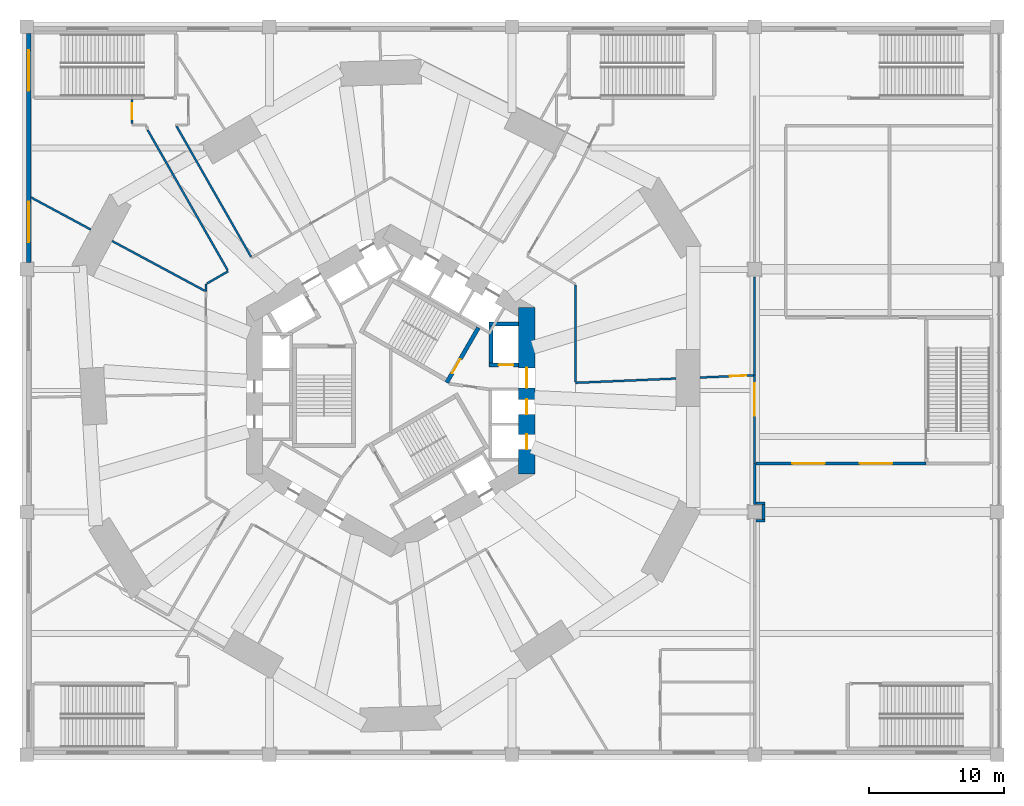
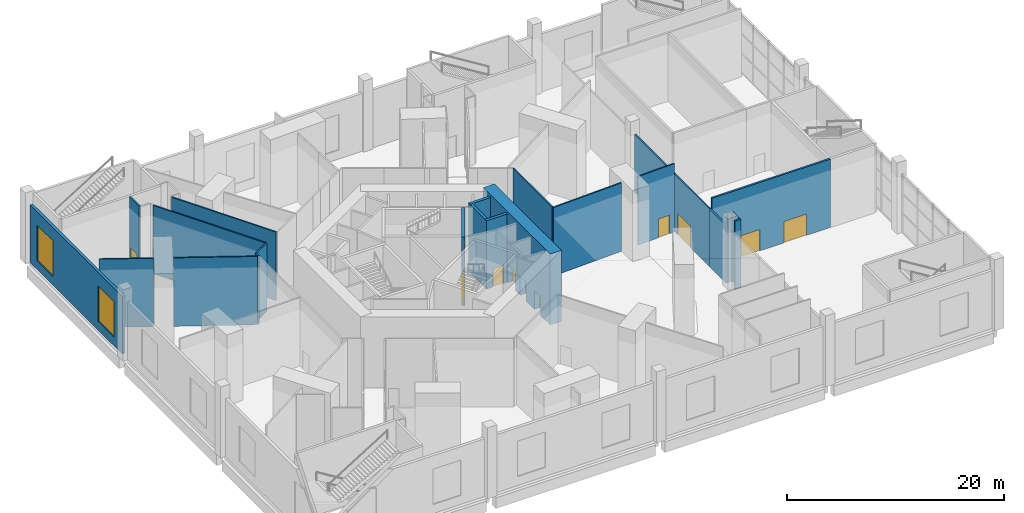
# One storey, part 8 of 15: 23 walls, 10 doors, 2 windows, 12 openings.
"""IFC4 building model written with IfcOpenShell, lengths in metres."""

from ifc_helpers import new_model, si_unit, direction, frame, frame_2d, origin, place, context, subcontext, project, spatial, rectangle, extrude, material, layer, layer_set, type_object, element, fill, save


model = new_model("IFC4")

# Units and contexts
model_context = context("Model", 3, precision=1e-05, world=origin(), true_north=direction((0.0, 1.0)))
body_context = subcontext(model_context, "Body", "Model", "MODEL_VIEW")
ifc_project = project(units=[si_unit("LENGTHUNIT", "METRE"), si_unit("AREAUNIT", "SQUARE_METRE"), si_unit("VOLUMEUNIT", "CUBIC_METRE"), si_unit("PLANEANGLEUNIT", "RADIAN"), si_unit("MASSUNIT", "GRAM", prefix="KILO")], contexts=[model_context])

# Site, building, storey
site_placement = place(None, origin())
site = spatial("IfcSite", under=ifc_project, at=site_placement, CompositionType="ELEMENT")
building_placement = place(site_placement, origin())
building = spatial("IfcBuilding", under=site, at=building_placement, Name="Vanh Sen Convention Tower", CompositionType="ELEMENT")
storey_placement = place(building_placement, frame((0.0, 0.0, 21.0)))
storey = spatial("IfcBuildingStorey", under=building, at=storey_placement, Name="L03", CompositionType="ELEMENT", Elevation=21.0)

# Wall, openings, doors
ifc_material_1 = material(Name="Concrete C80/95", Category="concrete")
ifc_layer_1 = layer(ifc_material_1, 1.199951171875)
ifc_layer_set_1 = layer_set([ifc_layer_1], Name="Concrete C80/95")
wall_type_1 = type_object("IfcWallType", Name="Core outer wall 1200 C80/95", PredefinedType="SHEAR", material=ifc_layer_set_1)
wall_1_placement = place(storey_placement, frame((10.10009765625, -6.177490234375, 0.0), z_axis=(0.0, 0.0, 1.0), x_axis=(0.0, 1.0, 0.0)))
wall_1 = element("IfcWall", 1, at=wall_1_placement, inside=storey, type_object=wall_type_1, Name="Core wall face E L03", PredefinedType="SHEAR", context=body_context, shape_type="SweptSolid", body=[
    extrude(rectangle(XDim=12.35498046875, YDim=1.199951171875, at=frame_2d((6.177490234375, 0.0))), origin(), (0.0, 0.0, 1.0), 8.0),
])
opening_1_placement = place(wall_1_placement, frame((6.377685546875, 0.0, 0.0)))
opening_1 = element("IfcOpeningElement", 2, at=opening_1_placement, cuts=wall_1, Name="Opening D03001", PredefinedType="OPENING", context=body_context, shape_type="SweptSolid", body=[
    extrude(rectangle(XDim=1.5, YDim=2.10009765625, at=frame_2d((0.75, 1.050048828125))), frame((0.0, 0.60986328125, 0.0), z_axis=(0.0, -1.0, 0.0), x_axis=(1.0, 0.0, 0.0)), (0.0, 0.0, 1.0), 1.219970703125),
])
opening_2_placement = place(wall_1_placement, frame((1.82763671875, 0.0, 0.0)))
opening_2 = element("IfcOpeningElement", 3, at=opening_2_placement, cuts=wall_1, Name="Opening LD-LR1", PredefinedType="OPENING", context=body_context, shape_type="SweptSolid", body=[
    extrude(rectangle(XDim=1.10009765625, YDim=2.10009765625, at=frame_2d((0.550048828125, 1.050048828125))), frame((0.0, 0.60986328125, 0.0), z_axis=(0.0, -1.0, 0.0), x_axis=(1.0, 0.0, 0.0)), (0.0, 0.0, 1.0), 1.219970703125),
])
opening_3_placement = place(wall_1_placement, frame((4.427490234375, 0.0, 0.0)))
opening_3 = element("IfcOpeningElement", 4, at=opening_3_placement, cuts=wall_1, Name="Opening LD-LR2", PredefinedType="OPENING", context=body_context, shape_type="SweptSolid", body=[
    extrude(rectangle(XDim=1.10009765625, YDim=2.10009765625, at=frame_2d((0.550048828125, 1.050048828125))), frame((0.0, 0.60986328125, 0.0), z_axis=(0.0, -1.0, 0.0), x_axis=(1.0, 0.0, 0.0)), (0.0, 0.0, 1.0), 1.219970703125),
])
ifc_material_2 = material(Name="Stainless steel", Category="steel")
door_type_1 = type_object("IfcDoorType", Name="Lift landing door 1100", OperationType="DOUBLE_DOOR_SLIDING", PredefinedType="DOOR", material=ifc_material_2)
door_1_placement = place(opening_2_placement, origin())
door_1 = element("IfcDoor", 5, at=door_1_placement, inside=storey, type_object=door_type_1, Name="Lift LR1 landing door LD-LR1", OperationType="DOUBLE_DOOR_SLIDING", OverallHeight=2.10009765625, OverallWidth=1.10009765625, PredefinedType="DOOR", context=body_context, shape_type="SweptSolid", body=[
    extrude(rectangle(XDim=1.10009765625, YDim=2.10009765625, at=frame_2d((0.550048828125, 1.050048828125))), frame((0.0, 0.02490234375, 0.0), z_axis=(0.0, -1.0, 0.0), x_axis=(1.0, 0.0, 0.0)), (0.0, 0.0, 1.0), 0.050048828125),
])
fill(opening_2, door_1)
door_2_placement = place(opening_3_placement, origin())
door_2 = element("IfcDoor", 6, at=door_2_placement, inside=storey, type_object=door_type_1, Name="Lift LR2 landing door LD-LR2", OperationType="DOUBLE_DOOR_SLIDING", OverallHeight=2.10009765625, OverallWidth=1.10009765625, PredefinedType="DOOR", context=body_context, shape_type="SweptSolid", body=[
    extrude(rectangle(XDim=1.10009765625, YDim=2.10009765625, at=frame_2d((0.550048828125, 1.050048828125))), frame((0.0, 0.02490234375, 0.0), z_axis=(0.0, -1.0, 0.0), x_axis=(1.0, 0.0, 0.0)), (0.0, 0.0, 1.0), 0.050048828125),
])
fill(opening_3, door_2)
ifc_material_3 = material(Name="Steel S355", Category="steel")
door_type_2 = type_object("IfcDoorType", Name="Stair lobby door 1500", OperationType="DOUBLE_DOOR_SINGLE_SWING", PredefinedType="DOOR", material=ifc_material_3)
door_3_placement = place(opening_1_placement, origin())
door_3 = element("IfcDoor", 7, at=door_3_placement, inside=storey, type_object=door_type_2, Name="Stair lobby door D03001", OperationType="DOUBLE_DOOR_SINGLE_SWING", OverallHeight=2.10009765625, OverallWidth=1.5, PredefinedType="DOOR", context=body_context, shape_type="SweptSolid", body=[
    extrude(rectangle(XDim=1.5, YDim=2.10009765625, at=frame_2d((0.75, 1.050048828125))), frame((0.0, 0.02490234375, 0.0), z_axis=(0.0, -1.0, 0.0), x_axis=(1.0, 0.0, 0.0)), (0.0, 0.0, 1.0), 0.050048828125),
])
fill(opening_1, door_3)

# Wall, opening, door
ifc_material_4 = material(Name="Concrete C60/75", Category="concrete")
ifc_layer_2 = layer(ifc_material_4, 0.300048828125)
ifc_layer_set_2 = layer_set([ifc_layer_2], Name="Concrete C60/75")
wall_type_2 = type_object("IfcWallType", Name="Fire-fighting lift shaft wall 300", PredefinedType="SHEAR", material=ifc_layer_set_2)
wall_2_placement = place(storey_placement, frame((7.300048828125, 1.89990234375, 0.0), z_axis=(0.0, 0.0, 1.0), x_axis=(1.0, 0.0, 0.0)))
wall_2 = element("IfcWall", 8, at=wall_2_placement, inside=storey, type_object=wall_type_2, Name="Fire-fighting lift shaft wall L03", PredefinedType="SHEAR", context=body_context, shape_type="SweptSolid", body=[
    extrude(rectangle(XDim=2.199951171875, YDim=0.300048828125, at=frame_2d((1.10009765625, 0.0))), origin(), (0.0, 0.0, 1.0), 7.699951171875),
])
opening_4_placement = place(wall_2_placement, frame((0.699951171875, 0.0, 0.0)))
opening_4 = element("IfcOpeningElement", 9, at=opening_4_placement, cuts=wall_2, Name="Opening LD-FF1", PredefinedType="OPENING", context=body_context, shape_type="SweptSolid", body=[
    extrude(rectangle(XDim=1.10009765625, YDim=2.10009765625, at=frame_2d((0.550048828125, 1.050048828125))), frame((0.0, 0.159912109375, 0.0), z_axis=(0.0, -1.0, 0.0), x_axis=(1.0, 0.0, 0.0)), (0.0, 0.0, 1.0), 0.320068359375),
])
door_type_3 = type_object("IfcDoorType", Name="Fire-fighting lift landing door 1100", OperationType="DOUBLE_DOOR_SLIDING", PredefinedType="DOOR", material=ifc_material_2)
door_4_placement = place(opening_4_placement, origin())
door_4 = element("IfcDoor", 10, at=door_4_placement, inside=storey, type_object=door_type_3, Name="Lift FF1 landing door LD-FF1", OperationType="DOUBLE_DOOR_SLIDING", OverallHeight=2.10009765625, OverallWidth=1.10009765625, PredefinedType="DOOR", context=body_context, shape_type="SweptSolid", body=[
    extrude(rectangle(XDim=1.10009765625, YDim=2.10009765625, at=frame_2d((0.550048828125, 1.050048828125))), frame((0.0, 0.02490234375, 0.0), z_axis=(0.0, -1.0, 0.0), x_axis=(1.0, 0.0, 0.0)), (0.0, 0.0, 1.0), 0.050048828125),
])
fill(opening_4, door_4)

# Walls
wall_3_placement = place(storey_placement, frame((7.449951171875, 1.75, 0.0), z_axis=(0.0, 0.0, 1.0), x_axis=(0.0, 1.0, 0.0)))
element("IfcWall", 11, at=wall_3_placement, inside=storey, type_object=wall_type_2, Name="Fire-fighting lift shaft wall L03", PredefinedType="SHEAR", context=body_context, shape_type="SweptSolid", body=[
    extrude(rectangle(XDim=3.35009765625, YDim=0.300048828125, at=frame_2d((1.675048828125, 0.0))), origin(), (0.0, 0.0, 1.0), 7.699951171875),
])
wall_4_placement = place(storey_placement, frame((7.300048828125, 4.949951171875, 0.0), z_axis=(0.0, 0.0, 1.0), x_axis=(1.0, 0.0, 0.0)))
element("IfcWall", 12, at=wall_4_placement, inside=storey, type_object=wall_type_2, Name="Fire-fighting lift shaft wall L03", PredefinedType="SHEAR", context=body_context, shape_type="SweptSolid", body=[
    extrude(rectangle(XDim=2.199951171875, YDim=0.300048828125, at=frame_2d((1.10009765625, 0.0))), origin(), (0.0, 0.0, 1.0), 7.699951171875),
])

# Wall, opening, door
ifc_material_5 = material(Name="Gypsum board on steel studs", Category="steel")
ifc_layer_3 = layer(ifc_material_5, 0.14990234375)
ifc_layer_set_3 = layer_set([ifc_layer_3], Name="Gypsum board on steel studs")
wall_type_3 = type_object("IfcWallType", Name="Partition 150", PredefinedType="PARTITIONING", material=ifc_layer_set_3)
wall_5_placement = place(storey_placement, frame((27.0, -5.39990234375, 0.0), z_axis=(0.0, 0.0, 1.0), x_axis=(0.0, 1.0, 0.0)))
wall_5 = element("IfcWall", 13, at=wall_5_placement, inside=storey, type_object=wall_type_3, Name="Partition L03-048", PredefinedType="PARTITIONING", context=body_context, shape_type="SweptSolid", body=[
    extrude(rectangle(XDim=6.54736328125, YDim=0.14990234375, at=frame_2d((3.273681640625, 0.0))), origin(), (0.0, 0.0, 1.0), 6.5),
])
opening_5_placement = place(wall_5_placement, frame((3.547607421875, 0.0, 0.0)))
opening_5 = element("IfcOpeningElement", 14, at=opening_5_placement, cuts=wall_5, Name="Opening D03111", PredefinedType="OPENING", context=body_context, shape_type="SweptSolid", body=[
    extrude(rectangle(XDim=2.39990234375, YDim=2.39990234375, at=frame_2d((1.199951171875, 1.199951171875))), frame((0.0, 0.0849609375, 0.0), z_axis=(0.0, -1.0, 0.0), x_axis=(1.0, 0.0, 0.0)), (0.0, 0.0, 1.0), 0.169921875),
])
ifc_material_6 = material(Name="Timber door in steel frame", Category="steel")
door_type_4 = type_object("IfcDoorType", Name="Double door 2400", OperationType="DOUBLE_DOOR_SINGLE_SWING", PredefinedType="DOOR", material=ifc_material_6)
door_5_placement = place(opening_5_placement, origin())
door_5 = element("IfcDoor", 15, at=door_5_placement, inside=storey, type_object=door_type_4, Name="Double door D03111", OperationType="DOUBLE_DOOR_SINGLE_SWING", OverallHeight=2.39990234375, OverallWidth=2.39990234375, PredefinedType="DOOR", context=body_context, shape_type="SweptSolid", body=[
    extrude(rectangle(XDim=2.39990234375, YDim=2.39990234375, at=frame_2d((1.199951171875, 1.199951171875))), frame((0.0, 0.02490234375, 0.0), z_axis=(0.0, -1.0, 0.0), x_axis=(1.0, 0.0, 0.0)), (0.0, 0.0, 1.0), 0.050048828125),
])
fill(opening_5, door_5)

# Wall
ifc_layer_4 = layer(ifc_material_5, 0.14990234375)
ifc_layer_set_4 = layer_set([ifc_layer_4], Name="Gypsum board on steel studs")
wall_type_4 = type_object("IfcWallType", Name="Partition 150 EI 60", PredefinedType="PARTITIONING", material=ifc_layer_set_4)
wall_6_placement = place(storey_placement, frame((21.14990234375, 0.899169921875, 0.0), z_axis=(0.0, 0.0, 1.0), x_axis=(-0.999097940345, -0.04246534585, 0.0)))
element("IfcWall", 16, at=wall_6_placement, inside=storey, type_object=wall_type_4, Name="Partition L03-055", PredefinedType="PARTITIONING", context=body_context, shape_type="SweptSolid", body=[
    extrude(rectangle(XDim=7.456787109375, YDim=0.14990234375, at=frame_2d((3.728515625, 0.0))), origin(), (0.0, 0.0, 1.0), 7.699951171875),
])

# Wall, opening, door
wall_7_placement = place(storey_placement, frame((22.949951171875, 0.9755859375, 0.0), z_axis=(0.0, 0.0, 1.0), x_axis=(0.99910105245, 0.042392062858, 0.0)))
wall_7 = element("IfcWall", 17, at=wall_7_placement, inside=storey, type_object=wall_type_4, Name="Partition L03-056", PredefinedType="PARTITIONING", context=body_context, shape_type="SweptSolid", body=[
    extrude(rectangle(XDim=3.973876953125, YDim=0.14990234375, at=frame_2d((1.98681640625, 0.0))), origin(), (0.0, 0.0, 1.0), 7.699951171875),
])
opening_6_placement = place(wall_7_placement, frame((2.2236328125, 0.0, 0.0)))
opening_6 = element("IfcOpeningElement", 18, at=opening_6_placement, cuts=wall_7, Name="Opening D03116", PredefinedType="OPENING", context=body_context, shape_type="SweptSolid", body=[
    extrude(rectangle(XDim=1.199951171875, YDim=2.10009765625, at=frame_2d((0.60009765625, 1.050048828125))), frame((0.0, 0.0849609375, 0.0), z_axis=(0.0, -1.0, 0.0), x_axis=(1.0, 0.0, 0.0)), (0.0, 0.0, 1.0), 0.169921875),
])
door_type_5 = type_object("IfcDoorType", Name="Room door 1200 EI 30", OperationType="SINGLE_SWING_LEFT", PredefinedType="DOOR", material=ifc_material_6)
door_6_placement = place(opening_6_placement, origin())
door_6 = element("IfcDoor", 19, at=door_6_placement, inside=storey, type_object=door_type_5, Name="Room door D03116", OperationType="SINGLE_SWING_LEFT", OverallHeight=2.10009765625, OverallWidth=1.199951171875, PredefinedType="DOOR", context=body_context, shape_type="SweptSolid", body=[
    extrude(rectangle(XDim=1.199951171875, YDim=2.10009765625, at=frame_2d((0.60009765625, 1.050048828125))), frame((0.0, 0.02490234375, 0.0), z_axis=(0.0, -1.0, 0.0), x_axis=(1.0, 0.0, 0.0)), (0.0, 0.0, 1.0), 0.050048828125),
])
fill(opening_6, door_6)

# Walls
wall_8_placement = place(storey_placement, frame((27.0, 1.1474609375, 0.0), z_axis=(0.0, 0.0, 1.0), x_axis=(0.0, 1.0, 0.0)))
element("IfcWall", 20, at=wall_8_placement, inside=storey, type_object=wall_type_4, Name="Partition L03-057", PredefinedType="PARTITIONING", context=body_context, shape_type="SweptSolid", body=[
    extrude(rectangle(XDim=7.302490234375, YDim=0.14990234375, at=frame_2d((3.6513671875, 0.0))), origin(), (0.0, 0.0, 1.0), 6.5),
])
wall_9_placement = place(storey_placement, frame((-13.699951171875, 7.361572265625, 0.0), z_axis=(0.0, 0.0, 1.0), x_axis=(0.0, 1.0, 0.0)))
element("IfcWall", 21, at=wall_9_placement, inside=storey, type_object=wall_type_4, Name="Partition L03-061", PredefinedType="PARTITIONING", context=body_context, shape_type="SweptSolid", body=[
    extrude(rectangle(XDim=0.5478515625, YDim=0.14990234375, at=frame_2d((0.27392578125, 0.0))), origin(), (0.0, 0.0, 1.0), 7.699951171875),
])
wall_10_placement = place(storey_placement, frame((-13.8056640625, 7.418212890625, 0.0), z_axis=(0.0, 0.0, 1.0), x_axis=(-0.880891557551, 0.473318142305, 0.0)))
element("IfcWall", 22, at=wall_10_placement, inside=storey, type_object=wall_type_4, Name="Partition L03-062", PredefinedType="PARTITIONING", context=body_context, shape_type="SweptSolid", body=[
    extrude(rectangle(XDim=7.787109375, YDim=0.14990234375, at=frame_2d((3.8935546875, 0.0))), origin(), (0.0, 0.0, 1.0), 7.699951171875),
])
wall_11_placement = place(storey_placement, frame((13.699951171875, 7.849609375, 0.0), z_axis=(0.0, 0.0, 1.0), x_axis=(0.0, -1.0, 0.0)))
element("IfcWall", 23, at=wall_11_placement, inside=storey, type_object=wall_type_4, Name="Partition L03-063", PredefinedType="PARTITIONING", context=body_context, shape_type="SweptSolid", body=[
    extrude(rectangle(XDim=7.18701171875, YDim=0.14990234375, at=frame_2d((3.593505859375, 0.0))), origin(), (0.0, 0.0, 1.0), 7.699951171875),
])
wall_12_placement = place(storey_placement, frame((-13.64794921875, 7.939453125, 0.0), z_axis=(0.0, 0.0, 1.0), x_axis=(0.866024486176, 0.500001589341, 0.0)))
element("IfcWall", 24, at=wall_12_placement, inside=storey, type_object=wall_type_4, Name="Partition L03-065", PredefinedType="PARTITIONING", context=body_context, shape_type="SweptSolid", body=[
    extrude(rectangle(XDim=1.84228515625, YDim=0.14990234375, at=frame_2d((0.921142578125, 0.0))), origin(), (0.0, 0.0, 1.0), 7.699951171875),
])
wall_13_placement = place(storey_placement, frame((-12.092041015625, 8.929931640625, 0.0), z_axis=(0.0, 0.0, 1.0), x_axis=(-0.495564220718, 0.868571299977, 0.0)))
element("IfcWall", 25, at=wall_13_placement, inside=storey, type_object=wall_type_4, Name="Partition L03-066", PredefinedType="PARTITIONING", context=body_context, shape_type="SweptSolid", body=[
    extrude(rectangle(XDim=11.98828125, YDim=0.14990234375, at=frame_2d((5.994140625, 0.0))), origin(), (0.0, 0.0, 1.0), 7.699951171875),
])
wall_14_placement = place(storey_placement, frame((-22.2509765625, 11.9560546875, 0.0), z_axis=(0.0, 0.0, 1.0), x_axis=(-0.880902248523, 0.473298244817, 0.0)))
element("IfcWall", 26, at=wall_14_placement, inside=storey, type_object=wall_type_4, Name="Partition L03-076", PredefinedType="PARTITIONING", context=body_context, shape_type="SweptSolid", body=[
    extrude(rectangle(XDim=5.050537109375, YDim=0.14990234375, at=frame_2d((2.525390625, 0.0))), origin(), (0.0, 0.0, 1.0), 7.699951171875),
])
wall_15_placement = place(storey_placement, frame((-15.888916015625, 19.620849609375, 0.0), z_axis=(0.0, 0.0, 1.0), x_axis=(0.495540263005, -0.868584968636, 0.0)))
element("IfcWall", 27, at=wall_15_placement, inside=storey, type_object=wall_type_4, Name="Partition L03-097", PredefinedType="PARTITIONING", context=body_context, shape_type="SweptSolid", body=[
    extrude(rectangle(XDim=11.1572265625, YDim=0.14990234375, at=frame_2d((5.57861328125, 0.0))), origin(), (0.0, 0.0, 1.0), 7.699951171875),
])

# Wall, opening, door
wall_16_placement = place(storey_placement, frame((-19.199951171875, 19.804931640625, 0.0), z_axis=(0.0, 0.0, 1.0), x_axis=(0.0, 1.0, 0.0)))
wall_16 = element("IfcWall", 28, at=wall_16_placement, inside=storey, type_object=wall_type_4, Name="Partition L03-104", PredefinedType="PARTITIONING", context=body_context, shape_type="SweptSolid", body=[
    extrude(rectangle(XDim=1.780029296875, YDim=0.14990234375, at=frame_2d((0.89013671875, 0.0))), origin(), (0.0, 0.0, 1.0), 7.699951171875),
])
opening_7_placement = place(wall_16_placement, frame((0.330078125, 0.0, 0.0)))
opening_7 = element("IfcOpeningElement", 29, at=opening_7_placement, cuts=wall_16, Name="Opening D03123", PredefinedType="OPENING", context=body_context, shape_type="SweptSolid", body=[
    extrude(rectangle(XDim=1.199951171875, YDim=2.10009765625, at=frame_2d((0.60009765625, 1.050048828125))), frame((0.0, 0.0849609375, 0.0), z_axis=(0.0, -1.0, 0.0), x_axis=(1.0, 0.0, 0.0)), (0.0, 0.0, 1.0), 0.169921875),
])
door_7_placement = place(opening_7_placement, origin())
door_7 = element("IfcDoor", 30, at=door_7_placement, inside=storey, type_object=door_type_5, Name="Room door D03123", OperationType="SINGLE_SWING_LEFT", OverallHeight=2.10009765625, OverallWidth=1.199951171875, PredefinedType="DOOR", context=body_context, shape_type="SweptSolid", body=[
    extrude(rectangle(XDim=1.199951171875, YDim=2.10009765625, at=frame_2d((0.60009765625, 1.050048828125))), frame((0.0, 0.02490234375, 0.0), z_axis=(0.0, -1.0, 0.0), x_axis=(1.0, 0.0, 0.0)), (0.0, 0.0, 1.0), 0.050048828125),
])
fill(opening_7, door_7)

# Walls
ifc_material_7 = material(Name="Concrete C20/25", Category="concrete")
ifc_layer_5 = layer(ifc_material_7, 0.199951171875)
ifc_layer_set_5 = layer_set([ifc_layer_5], Name="Concrete C20/25")
wall_type_5 = type_object("IfcWallType", Name="Partition 200 EI 120", PredefinedType="PARTITIONING", material=ifc_layer_set_5)
wall_17_placement = place(storey_placement, frame((27.10009765625, -9.64990234375, 0.0), z_axis=(0.0, 0.0, 1.0), x_axis=(1.0, 0.0, 0.0)))
element("IfcWall", 31, at=wall_17_placement, inside=storey, type_object=wall_type_5, Name="Partition L03-039", PredefinedType="PARTITIONING", context=body_context, shape_type="SweptSolid", body=[
    extrude(rectangle(XDim=0.65185546875, YDim=0.199951171875, at=frame_2d((0.325927734375, 0.0))), origin(), (0.0, 0.0, 1.0), 7.699951171875),
])
wall_18_placement = place(storey_placement, frame((27.652099609375, -9.550048828125, 0.0), z_axis=(0.0, 0.0, 1.0), x_axis=(0.0, 1.0, 0.0)))
element("IfcWall", 32, at=wall_18_placement, inside=storey, type_object=wall_type_5, Name="Partition L03-040", PredefinedType="PARTITIONING", context=body_context, shape_type="SweptSolid", body=[
    extrude(rectangle(XDim=1.10009765625, YDim=0.199951171875, at=frame_2d((0.550048828125, 0.0))), origin(), (0.0, 0.0, 1.0), 7.699951171875),
])
wall_19_placement = place(storey_placement, frame((27.0, -8.449951171875, 0.0), z_axis=(0.0, 0.0, 1.0), x_axis=(0.0, 1.0, 0.0)))
element("IfcWall", 33, at=wall_19_placement, inside=storey, type_object=wall_type_5, Name="Partition L03-044", PredefinedType="PARTITIONING", context=body_context, shape_type="SweptSolid", body=[
    extrude(rectangle(XDim=3.050048828125, YDim=0.199951171875, at=frame_2d((1.52490234375, 0.0))), origin(), (0.0, 0.0, 1.0), 6.5),
])
wall_20_placement = place(storey_placement, frame((27.10009765625, -8.35009765625, 0.0), z_axis=(0.0, 0.0, 1.0), x_axis=(1.0, 0.0, 0.0)))
element("IfcWall", 34, at=wall_20_placement, inside=storey, type_object=wall_type_5, Name="Partition L03-045", PredefinedType="PARTITIONING", context=body_context, shape_type="SweptSolid", body=[
    extrude(rectangle(XDim=0.65185546875, YDim=0.199951171875, at=frame_2d((0.325927734375, 0.0))), origin(), (0.0, 0.0, 1.0), 7.699951171875),
])

# Wall, openings, doors
wall_21_placement = place(storey_placement, frame((27.10009765625, -5.39990234375, 0.0), z_axis=(0.0, 0.0, 1.0), x_axis=(1.0, 0.0, 0.0)))
wall_21 = element("IfcWall", 35, at=wall_21_placement, inside=storey, type_object=wall_type_5, Name="Partition L03-049", PredefinedType="PARTITIONING", context=body_context, shape_type="SweptSolid", body=[
    extrude(rectangle(XDim=12.625, YDim=0.199951171875, at=frame_2d((6.3125, 0.0))), origin(), (0.0, 0.0, 1.0), 7.699951171875),
])
opening_8_placement = place(wall_21_placement, frame((2.699951171875, 0.0, 0.0)))
opening_8 = element("IfcOpeningElement", 36, at=opening_8_placement, cuts=wall_21, Name="Opening D03112", PredefinedType="OPENING", context=body_context, shape_type="SweptSolid", body=[
    extrude(rectangle(XDim=2.39990234375, YDim=2.39990234375, at=frame_2d((1.199951171875, 1.199951171875))), frame((0.0, 0.10986328125, 0.0), z_axis=(0.0, -1.0, 0.0), x_axis=(1.0, 0.0, 0.0)), (0.0, 0.0, 1.0), 0.219970703125),
])
opening_9_placement = place(wall_21_placement, frame((7.699951171875, 0.0, 0.0)))
opening_9 = element("IfcOpeningElement", 37, at=opening_9_placement, cuts=wall_21, Name="Opening D03113", PredefinedType="OPENING", context=body_context, shape_type="SweptSolid", body=[
    extrude(rectangle(XDim=2.39990234375, YDim=2.39990234375, at=frame_2d((1.199951171875, 1.199951171875))), frame((0.0, 0.10986328125, 0.0), z_axis=(0.0, -1.0, 0.0), x_axis=(1.0, 0.0, 0.0)), (0.0, 0.0, 1.0), 0.219970703125),
])
door_type_6 = type_object("IfcDoorType", Name="Double door 2400 EI 60", OperationType="DOUBLE_DOOR_SINGLE_SWING", PredefinedType="DOOR", material=ifc_material_6)
door_8_placement = place(opening_8_placement, origin())
door_8 = element("IfcDoor", 38, at=door_8_placement, inside=storey, type_object=door_type_6, Name="Double door D03112", OperationType="DOUBLE_DOOR_SINGLE_SWING", OverallHeight=2.39990234375, OverallWidth=2.39990234375, PredefinedType="DOOR", context=body_context, shape_type="SweptSolid", body=[
    extrude(rectangle(XDim=2.39990234375, YDim=2.39990234375, at=frame_2d((1.199951171875, 1.199951171875))), frame((0.0, 0.02490234375, 0.0), z_axis=(0.0, -1.0, 0.0), x_axis=(1.0, 0.0, 0.0)), (0.0, 0.0, 1.0), 0.050048828125),
])
fill(opening_8, door_8)
door_9_placement = place(opening_9_placement, origin())
door_9 = element("IfcDoor", 39, at=door_9_placement, inside=storey, type_object=door_type_6, Name="Double door D03113", OperationType="DOUBLE_DOOR_SINGLE_SWING", OverallHeight=2.39990234375, OverallWidth=2.39990234375, PredefinedType="DOOR", context=body_context, shape_type="SweptSolid", body=[
    extrude(rectangle(XDim=2.39990234375, YDim=2.39990234375, at=frame_2d((1.199951171875, 1.199951171875))), frame((0.0, 0.02490234375, 0.0), z_axis=(0.0, -1.0, 0.0), x_axis=(1.0, 0.0, 0.0)), (0.0, 0.0, 1.0), 0.050048828125),
])
fill(opening_9, door_9)

# Wall, openings, windows
ifc_material_8 = material(Name="Concrete C50/60", Category="concrete")
ifc_layer_6 = layer(ifc_material_8, 0.300048828125)
ifc_layer_set_6 = layer_set([ifc_layer_6], Name="Concrete C50/60")
wall_type_6 = type_object("IfcWallType", Name="Podium wall 300", PredefinedType="STANDARD", material=ifc_layer_set_6)
wall_22_placement = place(storey_placement, frame((-26.85009765625, 26.5, 0.0), z_axis=(0.0, 0.0, 1.0), x_axis=(0.0, -1.0, 0.0)))
wall_22 = element("IfcWall", 40, at=wall_22_placement, inside=storey, type_object=wall_type_6, Name="Podium wall W1 L03", PredefinedType="STANDARD", context=body_context, shape_type="SweptSolid", body=[
    extrude(rectangle(XDim=17.0, YDim=0.300048828125, at=frame_2d((8.5, 0.0))), origin(), (0.0, 0.0, 1.0), 6.5),
])
opening_10_placement = place(wall_22_placement, frame((1.25, 0.0, 1.0)))
opening_10 = element("IfcOpeningElement", 41, at=opening_10_placement, cuts=wall_22, Name="Opening WP3-W1", PredefinedType="OPENING", context=body_context, shape_type="SweptSolid", body=[
    extrude(rectangle(XDim=3.0, YDim=4.0, at=frame_2d((1.5, 2.0))), frame((0.0, 0.159912109375, 0.0), z_axis=(0.0, -1.0, 0.0), x_axis=(1.0, 0.0, 0.0)), (0.0, 0.0, 1.0), 0.320068359375),
])
opening_11_placement = place(wall_22_placement, frame((12.5, 0.0, 1.0)))
opening_11 = element("IfcOpeningElement", 42, at=opening_11_placement, cuts=wall_22, Name="Opening WP3-W2", PredefinedType="OPENING", context=body_context, shape_type="SweptSolid", body=[
    extrude(rectangle(XDim=3.0, YDim=4.0, at=frame_2d((1.5, 2.0))), frame((0.0, 0.159912109375, 0.0), z_axis=(0.0, -1.0, 0.0), x_axis=(1.0, 0.0, 0.0)), (0.0, 0.0, 1.0), 0.320068359375),
])
ifc_material_9 = material(Name="Aluminium frame with clear low-emissivity glass", Category="aluminium")
window_type = type_object("IfcWindowType", Name="Podium window 3000 x 4000", PartitioningType="SINGLE_PANEL", PredefinedType="WINDOW", material=ifc_material_9)
window_1_placement = place(opening_10_placement, origin())
window_1 = element("IfcWindow", 43, at=window_1_placement, inside=storey, type_object=window_type, Name="Window WP3-W1", OverallHeight=4.0, OverallWidth=3.0, PartitioningType="SINGLE_PANEL", PredefinedType="WINDOW", context=body_context, shape_type="SweptSolid", body=[
    extrude(rectangle(XDim=3.0, YDim=4.0, at=frame_2d((1.5, 2.0))), frame((0.0, 0.030029296875, 0.0), z_axis=(0.0, -1.0, 0.0), x_axis=(1.0, 0.0, 0.0)), (0.0, 0.0, 1.0), 0.06005859375),
])
fill(opening_10, window_1)
window_2_placement = place(opening_11_placement, origin())
window_2 = element("IfcWindow", 44, at=window_2_placement, inside=storey, type_object=window_type, Name="Window WP3-W2", OverallHeight=4.0, OverallWidth=3.0, PartitioningType="SINGLE_PANEL", PredefinedType="WINDOW", context=body_context, shape_type="SweptSolid", body=[
    extrude(rectangle(XDim=3.0, YDim=4.0, at=frame_2d((1.5, 2.0))), frame((0.0, 0.030029296875, 0.0), z_axis=(0.0, -1.0, 0.0), x_axis=(1.0, 0.0, 0.0)), (0.0, 0.0, 1.0), 0.06005859375),
])
fill(opening_11, window_2)

# Wall, opening, door
ifc_layer_7 = layer(ifc_material_4, 0.300048828125)
ifc_layer_set_7 = layer_set([ifc_layer_7], Name="Concrete C60/75")
wall_type_7 = type_object("IfcWallType", Name="Stair wall 300", PredefinedType="SHEAR", material=ifc_layer_set_7)
wall_23_placement = place(storey_placement, frame((4.157958984375, 0.601806640625, 0.0), z_axis=(0.0, 0.0, 1.0), x_axis=(0.499977259774, 0.866038532462, 0.0)))
wall_23 = element("IfcWall", 45, at=wall_23_placement, inside=storey, type_object=wall_type_7, Name="Stair wall L03", PredefinedType="SHEAR", context=body_context, shape_type="SweptSolid", body=[
    extrude(rectangle(XDim=4.699951171875, YDim=0.300048828125, at=frame_2d((2.35009765625, 0.0))), origin(), (0.0, 0.0, 1.0), 7.699951171875),
])
opening_12_placement = place(wall_23_placement, frame((0.800048828125, 0.0, 0.0)))
opening_12 = element("IfcOpeningElement", 46, at=opening_12_placement, cuts=wall_23, Name="Opening D03004", PredefinedType="OPENING", context=body_context, shape_type="SweptSolid", body=[
    extrude(rectangle(XDim=1.199951171875, YDim=2.10009765625, at=frame_2d((0.60009765625, 1.050048828125))), frame((0.0, 0.159912109375, 0.0), z_axis=(0.0, -1.0, 0.0), x_axis=(1.0, 0.0, 0.0)), (0.0, 0.0, 1.0), 0.320068359375),
])
door_type_7 = type_object("IfcDoorType", Name="Stair door 1200", OperationType="SINGLE_SWING_RIGHT", PredefinedType="DOOR", material=ifc_material_3)
door_10_placement = place(opening_12_placement, origin())
door_10 = element("IfcDoor", 47, at=door_10_placement, inside=storey, type_object=door_type_7, Name="Stair ST1 door D03004", OperationType="SINGLE_SWING_RIGHT", OverallHeight=2.10009765625, OverallWidth=1.199951171875, PredefinedType="DOOR", context=body_context, shape_type="SweptSolid", body=[
    extrude(rectangle(XDim=1.199951171875, YDim=2.10009765625, at=frame_2d((0.60009765625, 1.050048828125))), frame((0.0, 0.02490234375, 0.0), z_axis=(0.0, -1.0, 0.0), x_axis=(1.0, 0.0, 0.0)), (0.0, 0.0, 1.0), 0.050048828125),
])
fill(opening_12, door_10)

save(model, "model.ifc")
